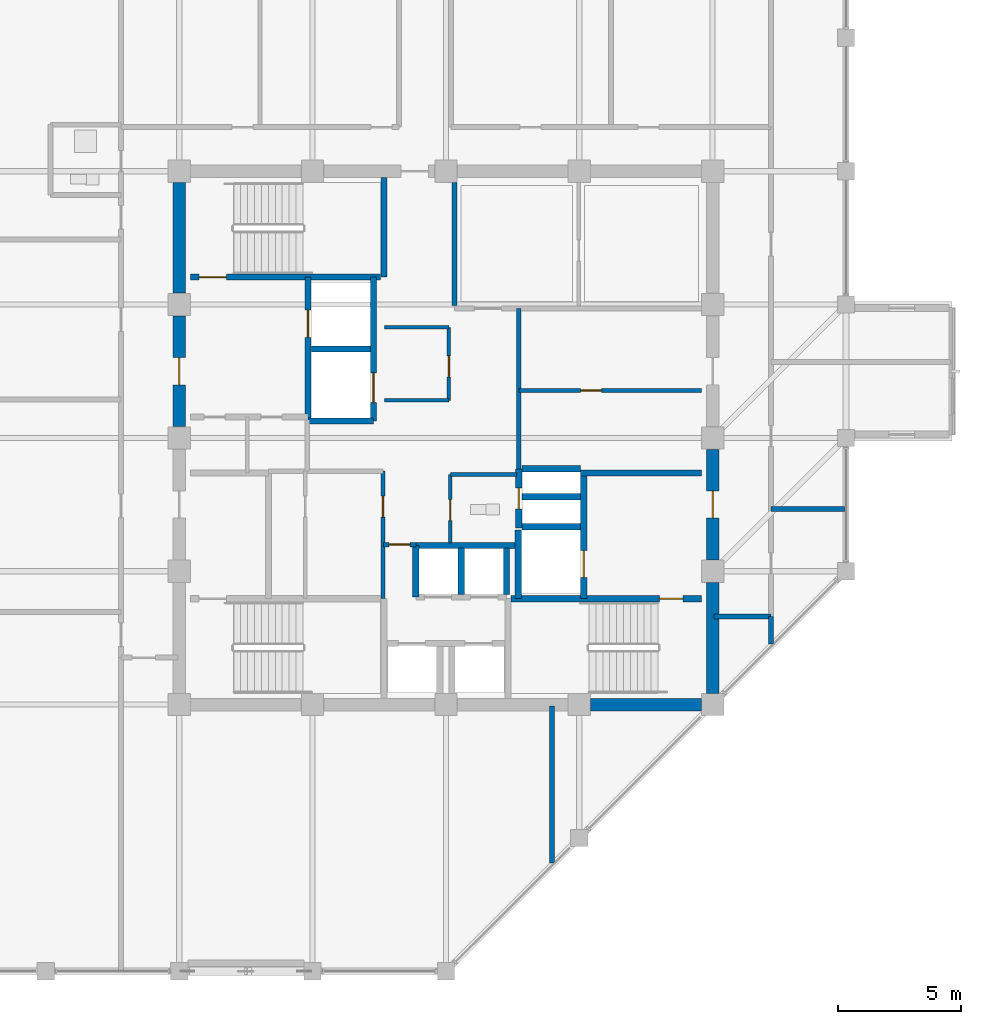
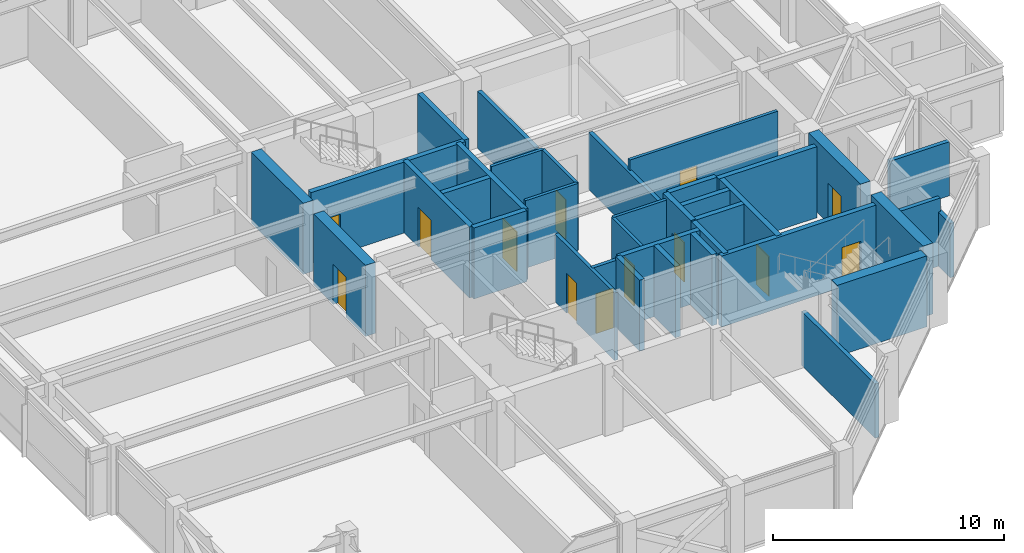
# One storey, part 27 of 32: 37 walls, 13 doors, 13 openings.
"""IFC4 building model written with IfcOpenShell, lengths in metres."""

from ifc_helpers import new_model, si_unit, direction, frame, frame_2d, origin, place, context, subcontext, project, spatial, rectangle, extrude, material, layer, layer_set, type_object, element, fill, save


model = new_model("IFC4")

# Units and contexts
model_context = context("Model", 3, precision=1e-05, world=origin(), true_north=direction((0.0, 1.0)))
body_context = subcontext(model_context, "Body", "Model", "MODEL_VIEW")
ifc_project = project(units=[si_unit("LENGTHUNIT", "METRE"), si_unit("AREAUNIT", "SQUARE_METRE"), si_unit("VOLUMEUNIT", "CUBIC_METRE"), si_unit("PLANEANGLEUNIT", "RADIAN"), si_unit("MASSUNIT", "GRAM", prefix="KILO")], contexts=[model_context])

# Site, building, storey
site_placement = place(None, origin())
site = spatial("IfcSite", under=ifc_project, at=site_placement, CompositionType="ELEMENT")
building_placement = place(site_placement, origin())
building = spatial("IfcBuilding", under=site, at=building_placement, Name="Surkhivell Harbour Commons", CompositionType="ELEMENT")
storey_placement = place(building_placement, frame((0.0, 0.0, 311.25)))
storey = spatial("IfcBuildingStorey", under=building, at=storey_placement, Name="L81", CompositionType="ELEMENT", Elevation=311.25)

# Wall
ifc_material_1 = material(Name="Concrete C50/60", Category="concrete")
ifc_layer_1 = layer(ifc_material_1, 0.5)
ifc_layer_set_1 = layer_set([ifc_layer_1], Name="Concrete C50/60")
wall_type_1 = type_object("IfcWallType", Name="WAL-CORE-500", PredefinedType="SHEAR", material=ifc_layer_set_1)
wall_1_placement = place(storey_placement, frame((10.800048828125, -10.340087890625, 0.0), z_axis=(0.0, 0.0, 1.0), x_axis=(0.0, 1.0, 0.0)))
element("IfcWall", 1, at=wall_1_placement, inside=storey, type_object=wall_type_1, Name="L81 Core Shear Wall East 1", PredefinedType="SHEAR", context=body_context, shape_type="SweptSolid", body=[
    extrude(rectangle(XDim=4.47998046875, YDim=0.5, at=frame_2d((2.239990234375, 0.0))), origin(), (0.0, 0.0, 1.0), 3.75),
])

# Wall, opening, door
wall_2_placement = place(storey_placement, frame((10.800048828125, -4.93994140625, 0.0), z_axis=(0.0, 0.0, 1.0), x_axis=(0.0, 1.0, 0.0)))
wall_2 = element("IfcWall", 2, at=wall_2_placement, inside=storey, type_object=wall_type_1, Name="L81 Core Shear Wall East 2", PredefinedType="SHEAR", context=body_context, shape_type="SweptSolid", body=[
    extrude(rectangle(XDim=4.47998046875, YDim=0.5, at=frame_2d((2.239990234375, 0.0))), origin(), (0.0, 0.0, 1.0), 3.75),
])
opening_1_placement = place(wall_2_placement, frame((1.68994140625, 0.0, 0.0)))
opening_1 = element("IfcOpeningElement", 3, at=opening_1_placement, cuts=wall_2, Name="Opening ID-1", PredefinedType="OPENING", context=body_context, shape_type="SweptSolid", body=[
    extrude(rectangle(XDim=1.10009765625, YDim=2.10009765625, at=frame_2d((0.550048828125, 1.050048828125))), frame((0.0, 0.260009765625, 0.0), z_axis=(0.0, -1.0, 0.0), x_axis=(1.0, 0.0, 0.0)), (0.0, 0.0, 1.0), 0.52001953125),
])
ifc_material_2 = material(Name="Hardwood-veneered fire-rated door leaf", Category="wood")
door_type_1 = type_object("IfcDoorType", Name="DOR-FD120-1100", OperationType="NOTDEFINED", PredefinedType="DOOR", material=ifc_material_2)
door_1_placement = place(opening_1_placement, origin())
door_1 = element("IfcDoor", 4, at=door_1_placement, inside=storey, type_object=door_type_1, Name="L81 Firefighting Lobby 2 Corridor Door", OperationType="SINGLE_SWING_RIGHT", OverallHeight=2.10009765625, OverallWidth=1.10009765625, PredefinedType="DOOR", context=body_context, shape_type="SweptSolid", body=[
    extrude(rectangle(XDim=1.10009765625, YDim=2.10009765625, at=frame_2d((0.550048828125, 1.050048828125))), frame((0.0, 0.02490234375, 0.0), z_axis=(0.0, -1.0, 0.0), x_axis=(1.0, 0.0, 0.0)), (0.0, 0.0, 1.0), 0.050048828125),
])
fill(opening_1, door_1)

wall_3_placement = place(storey_placement, frame((-10.800048828125, 0.4599609375, 0.0), z_axis=(0.0, 0.0, 1.0), x_axis=(0.0, 1.0, 0.0)))
wall_3 = element("IfcWall", 5, at=wall_3_placement, inside=storey, type_object=wall_type_1, Name="L81 Core Shear Wall West 3", PredefinedType="SHEAR", context=body_context, shape_type="SweptSolid", body=[
    extrude(rectangle(XDim=4.47998046875, YDim=0.5, at=frame_2d((2.239990234375, 0.0))), origin(), (0.0, 0.0, 1.0), 3.75),
])
opening_2_placement = place(wall_3_placement, frame((1.68994140625, 0.0, 0.0)))
opening_2 = element("IfcOpeningElement", 6, at=opening_2_placement, cuts=wall_3, Name="Opening ID-1", PredefinedType="OPENING", context=body_context, shape_type="SweptSolid", body=[
    extrude(rectangle(XDim=1.10009765625, YDim=2.10009765625, at=frame_2d((0.550048828125, 1.050048828125))), frame((0.0, 0.260009765625, 0.0), z_axis=(0.0, -1.0, 0.0), x_axis=(1.0, 0.0, 0.0)), (0.0, 0.0, 1.0), 0.52001953125),
])
door_2_placement = place(opening_2_placement, origin())
door_2 = element("IfcDoor", 7, at=door_2_placement, inside=storey, type_object=door_type_1, Name="L81 Firefighting Lobby 1 Corridor Door", OperationType="SINGLE_SWING_LEFT", OverallHeight=2.10009765625, OverallWidth=1.10009765625, PredefinedType="DOOR", context=body_context, shape_type="SweptSolid", body=[
    extrude(rectangle(XDim=1.10009765625, YDim=2.10009765625, at=frame_2d((0.550048828125, 1.050048828125))), frame((0.0, 0.02490234375, 0.0), z_axis=(0.0, -1.0, 0.0), x_axis=(1.0, 0.0, 0.0)), (0.0, 0.0, 1.0), 0.050048828125),
])
fill(opening_2, door_2)

# Walls
for number, where, z_axis, x_axis, name in (
    (8, (5.860107421875, -10.800048828125, 0.0), (0.0, 0.0, 1.0), (1.0, 0.0, 0.0), "L81 Core Shear Wall South 4"),
    (9, (-10.800048828125, 5.860107421875, 0.0), (0.0, 0.0, 1.0), (0.0, 1.0, 0.0), "L81 Core Shear Wall West 4"),
):
    element("IfcWall", number, at=place(storey_placement, frame(where, z_axis=z_axis, x_axis=x_axis)), inside=storey, type_object=wall_type_1, Name=name, PredefinedType="SHEAR", context=body_context, shape_type="SweptSolid", body=[
        extrude(rectangle(XDim=4.47998046875, YDim=0.5, at=frame_2d((2.239990234375, 0.0))), origin(), (0.0, 0.0, 1.0), 3.75),
    ])
ifc_material_3 = material(Name="Twin-stud acoustic fireboard partition", Category="other")
ifc_layer_2 = layer(ifc_material_3, 0.14990234375)
ifc_layer_set_2 = layer_set([ifc_layer_2], Name="Twin-stud acoustic fireboard partition")
wall_type_2 = type_object("IfcWallType", Name="WAL-INT-150", PredefinedType="PARTITIONING", material=ifc_layer_set_2)
wall_4_placement = place(storey_placement, frame((0.179931640625, -1.47998046875, 0.0), z_axis=(0.0, 0.0, 1.0), x_axis=(1.0, 0.0, 0.0)))
element("IfcWall", 10, at=wall_4_placement, inside=storey, type_object=wall_type_2, Name="L81 Core Accessible WC North Wall", PredefinedType="PARTITIONING", context=body_context, shape_type="SweptSolid", body=[
    extrude(rectangle(XDim=2.670166015625, YDim=0.14990234375, at=frame_2d((1.3349609375, 0.0))), origin(), (0.0, 0.0, 1.0), 3.570068359375),
])

# Wall, opening, door
wall_5_placement = place(storey_placement, frame((0.179931640625, -4.25, 0.0), z_axis=(0.0, 0.0, 1.0), x_axis=(0.0, 1.0, 0.0)))
wall_5 = element("IfcWall", 11, at=wall_5_placement, inside=storey, type_object=wall_type_2, Name="L81 Core Accessible WC West Wall", PredefinedType="PARTITIONING", context=body_context, shape_type="SweptSolid", body=[
    extrude(rectangle(XDim=2.77001953125, YDim=0.14990234375, at=frame_2d((1.385009765625, 0.0))), origin(), (0.0, 0.0, 1.0), 3.570068359375),
])
opening_3_placement = place(wall_5_placement, frame((0.89990234375, 0.0, 0.0)))
opening_3 = element("IfcOpeningElement", 12, at=opening_3_placement, cuts=wall_5, Name="Opening ID-6", PredefinedType="OPENING", context=body_context, shape_type="SweptSolid", body=[
    extrude(rectangle(XDim=0.85009765625, YDim=2.10009765625, at=frame_2d((0.425048828125, 1.050048828125))), frame((0.0, 0.0849609375, 0.0), z_axis=(0.0, -1.0, 0.0), x_axis=(1.0, 0.0, 0.0)), (0.0, 0.0, 1.0), 0.169921875),
])
door_type_2 = type_object("IfcDoorType", Name="DOR-FD30-850", OperationType="NOTDEFINED", PredefinedType="DOOR", material=ifc_material_2)
door_3_placement = place(opening_3_placement, origin())
door_3 = element("IfcDoor", 13, at=door_3_placement, inside=storey, type_object=door_type_2, Name="L81 Floor Accessible WC Door", OperationType="SINGLE_SWING_LEFT", OverallHeight=2.10009765625, OverallWidth=0.85009765625, PredefinedType="DOOR", context=body_context, shape_type="SweptSolid", body=[
    extrude(rectangle(XDim=0.85009765625, YDim=2.10009765625, at=frame_2d((0.425048828125, 1.050048828125))), frame((0.0, 0.02490234375, 0.0), z_axis=(0.0, -1.0, 0.0), x_axis=(1.0, 0.0, 0.0)), (0.0, 0.0, 1.0), 0.050048828125),
])
fill(opening_3, door_3)

wall_6_placement = place(storey_placement, frame((2.949951171875, 1.919921875, 0.0), z_axis=(0.0, 0.0, 1.0), x_axis=(1.0, 0.0, 0.0)))
wall_6 = element("IfcWall", 14, at=wall_6_placement, inside=storey, type_object=wall_type_2, Name="L81 Media Divider", PredefinedType="PARTITIONING", context=body_context, shape_type="SweptSolid", body=[
    extrude(rectangle(XDim=7.39013671875, YDim=0.14990234375, at=frame_2d((3.695068359375, 0.0))), origin(), (0.0, 0.0, 1.0), 3.570068359375),
])
opening_4_placement = place(wall_6_placement, frame((2.5, 0.0, 0.0)))
opening_4 = element("IfcOpeningElement", 15, at=opening_4_placement, cuts=wall_6, Name="Opening ID-6", PredefinedType="OPENING", context=body_context, shape_type="SweptSolid", body=[
    extrude(rectangle(XDim=0.85009765625, YDim=2.10009765625, at=frame_2d((0.425048828125, 1.050048828125))), frame((0.0, 0.0849609375, 0.0), z_axis=(0.0, -1.0, 0.0), x_axis=(1.0, 0.0, 0.0)), (0.0, 0.0, 1.0), 0.169921875),
])
door_4_placement = place(opening_4_placement, origin())
door_4 = element("IfcDoor", 16, at=door_4_placement, inside=storey, type_object=door_type_2, Name="L81 Seminar Alcove Door", OperationType="SINGLE_SWING_RIGHT", OverallHeight=2.10009765625, OverallWidth=0.85009765625, PredefinedType="DOOR", context=body_context, shape_type="SweptSolid", body=[
    extrude(rectangle(XDim=0.85009765625, YDim=2.10009765625, at=frame_2d((0.425048828125, 1.050048828125))), frame((0.0, 0.02490234375, 0.0), z_axis=(0.0, -1.0, 0.0), x_axis=(1.0, 0.0, 0.0)), (0.0, 0.0, 1.0), 0.050048828125),
])
fill(opening_4, door_4)

wall_7_placement = place(storey_placement, frame((0.1201171875, 1.52001953125, 0.0), z_axis=(0.0, 0.0, 1.0), x_axis=(0.0, 1.0, 0.0)))
wall_7 = element("IfcWall", 17, at=wall_7_placement, inside=storey, type_object=wall_type_2, Name="L81 Central Reading East Wall", PredefinedType="PARTITIONING", context=body_context, shape_type="SweptSolid", body=[
    extrude(rectangle(XDim=2.9599609375, YDim=0.14990234375, at=frame_2d((1.47998046875, 0.0))), origin(), (0.0, 0.0, 1.0), 3.570068359375),
])
opening_5_placement = place(wall_7_placement, frame((0.949951171875, 0.0, 0.0)))
opening_5 = element("IfcOpeningElement", 18, at=opening_5_placement, cuts=wall_7, Name="Opening ID-6", PredefinedType="OPENING", context=body_context, shape_type="SweptSolid", body=[
    extrude(rectangle(XDim=0.85009765625, YDim=2.10009765625, at=frame_2d((0.425048828125, 1.050048828125))), frame((0.0, 0.0849609375, 0.0), z_axis=(0.0, -1.0, 0.0), x_axis=(1.0, 0.0, 0.0)), (0.0, 0.0, 1.0), 0.169921875),
])
door_5_placement = place(opening_5_placement, origin())
door_5 = element("IfcDoor", 19, at=door_5_placement, inside=storey, type_object=door_type_2, Name="L81 Central Core Reading Door", OperationType="SINGLE_SWING_RIGHT", OverallHeight=2.10009765625, OverallWidth=0.85009765625, PredefinedType="DOOR", context=body_context, shape_type="SweptSolid", body=[
    extrude(rectangle(XDim=0.85009765625, YDim=2.10009765625, at=frame_2d((0.425048828125, 1.050048828125))), frame((0.0, 0.02490234375, 0.0), z_axis=(0.0, -1.0, 0.0), x_axis=(1.0, 0.0, 0.0)), (0.0, 0.0, 1.0), 0.050048828125),
])
fill(opening_5, door_5)

# Walls
for number, where, z_axis, x_axis, name in (
    (20, (-2.47998046875, 4.47998046875, 0.0), (0.0, 0.0, 1.0), (1.0, 0.0, 0.0), "L81 Central Reading North Wall"),
    (21, (-2.47998046875, 1.52001953125, 0.0), (0.0, 0.0, 1.0), (1.0, 0.0, 0.0), "L81 Central Reading South Wall"),
):
    element("IfcWall", number, at=place(storey_placement, frame(where, z_axis=z_axis, x_axis=x_axis)), inside=storey, type_object=wall_type_2, Name=name, PredefinedType="PARTITIONING", context=body_context, shape_type="SweptSolid", body=[
        extrude(rectangle(XDim=2.60009765625, YDim=0.14990234375, at=frame_2d((1.300048828125, 0.0))), origin(), (0.0, 0.0, 1.0), 3.570068359375),
    ])

# Wall, opening, door
ifc_material_4 = material(Name="High-density acoustic blockwork fire partition", Category="masonry")
ifc_layer_3 = layer(ifc_material_4, 0.175048828125)
ifc_layer_set_3 = layer_set([ifc_layer_3], Name="High-density acoustic blockwork fire partition")
wall_type_3 = type_object("IfcWallType", Name="WAL-INT-175", PredefinedType="PARTITIONING", material=ifc_layer_set_3)
wall_8_placement = place(storey_placement, frame((-2.550048828125, -6.510009765625, 0.0), z_axis=(0.0, 0.0, 1.0), x_axis=(0.0, 1.0, 0.0)))
wall_8 = element("IfcWall", 22, at=wall_8_placement, inside=storey, type_object=wall_type_3, Name="L81 Core Service Bay East Wall", PredefinedType="PARTITIONING", context=body_context, shape_type="SweptSolid", body=[
    extrude(rectangle(XDim=5.159912109375, YDim=0.175048828125, at=frame_2d((2.580078125, 0.0))), origin(), (0.0, 0.0, 1.0), 3.570068359375),
])
opening_6_placement = place(wall_8_placement, frame((3.300048828125, 0.0, 0.0)))
opening_6 = element("IfcOpeningElement", 23, at=opening_6_placement, cuts=wall_8, Name="Opening ID-6", PredefinedType="OPENING", context=body_context, shape_type="SweptSolid", body=[
    extrude(rectangle(XDim=0.85009765625, YDim=2.10009765625, at=frame_2d((0.425048828125, 1.050048828125))), frame((0.0, 0.097412109375, 0.0), z_axis=(0.0, -1.0, 0.0), x_axis=(1.0, 0.0, 0.0)), (0.0, 0.0, 1.0), 0.195068359375),
])
door_6_placement = place(opening_6_placement, origin())
door_6 = element("IfcDoor", 24, at=door_6_placement, inside=storey, type_object=door_type_2, Name="L81 Core Music Door", OperationType="SINGLE_SWING_LEFT", OverallHeight=2.10009765625, OverallWidth=0.85009765625, PredefinedType="DOOR", context=body_context, shape_type="SweptSolid", body=[
    extrude(rectangle(XDim=0.85009765625, YDim=2.10009765625, at=frame_2d((0.425048828125, 1.050048828125))), frame((0.0, 0.02490234375, 0.0), z_axis=(0.0, -1.0, 0.0), x_axis=(1.0, 0.0, 0.0)), (0.0, 0.0, 1.0), 0.050048828125),
])
fill(opening_6, door_6)

wall_9_placement = place(storey_placement, frame((-2.52001953125, -4.320068359375, 0.0), z_axis=(0.0, 0.0, 1.0), x_axis=(1.0, 0.0, 0.0)))
wall_9 = element("IfcWall", 25, at=wall_9_placement, inside=storey, type_object=wall_type_3, Name="L81 High-Rise Lobby North Portal Wall", PredefinedType="PARTITIONING", context=body_context, shape_type="SweptSolid", body=[
    extrude(rectangle(XDim=1.300048828125, YDim=0.175048828125, at=frame_2d((0.64990234375, 0.0))), origin(), (0.0, 0.0, 1.0), 3.570068359375),
])
opening_7_placement = place(wall_9_placement, frame((0.219970703125, 0.0, 0.0)))
opening_7 = element("IfcOpeningElement", 26, at=opening_7_placement, cuts=wall_9, Name="Opening ID-6", PredefinedType="OPENING", context=body_context, shape_type="SweptSolid", body=[
    extrude(rectangle(XDim=0.85009765625, YDim=2.10009765625, at=frame_2d((0.425048828125, 1.050048828125))), frame((0.0, 0.097412109375, 0.0), z_axis=(0.0, -1.0, 0.0), x_axis=(1.0, 0.0, 0.0)), (0.0, 0.0, 1.0), 0.195068359375),
])
door_7_placement = place(opening_7_placement, origin())
door_7 = element("IfcDoor", 27, at=door_7_placement, inside=storey, type_object=door_type_2, Name="L81 High-Rise Lift Lobby North Door", OperationType="SINGLE_SWING_LEFT", OverallHeight=2.10009765625, OverallWidth=0.85009765625, PredefinedType="DOOR", context=body_context, shape_type="SweptSolid", body=[
    extrude(rectangle(XDim=0.85009765625, YDim=2.10009765625, at=frame_2d((0.425048828125, 1.050048828125))), frame((0.0, 0.02490234375, 0.0), z_axis=(0.0, -1.0, 0.0), x_axis=(1.0, 0.0, 0.0)), (0.0, 0.0, 1.0), 0.050048828125),
])
fill(opening_7, door_7)

# Walls
ifc_material_5 = material(Name="Autoclaved aerated concrete blockwork and fire plaster", Category="masonry")
ifc_layer_4 = layer(ifc_material_5, 0.199951171875)
ifc_layer_set_4 = layer_set([ifc_layer_4], Name="Autoclaved aerated concrete blockwork and fire plaster")
wall_type_4 = type_object("IfcWallType", Name="WAL-INT-200", PredefinedType="PARTITIONING", material=ifc_layer_set_4)
wall_10_placement = place(storey_placement, frame((0.35009765625, 5.360107421875, 0.0), z_axis=(0.0, 0.0, 1.0), x_axis=(0.0, 1.0, 0.0)))
element("IfcWall", 28, at=wall_10_placement, inside=storey, type_object=wall_type_4, Name="L81 Reclaimed Core North Bay West Wall", PredefinedType="PARTITIONING", context=body_context, shape_type="SweptSolid", body=[
    extrude(rectangle(XDim=4.97998046875, YDim=0.199951171875, at=frame_2d((2.489990234375, 0.0))), origin(), (0.0, 0.0, 1.0), 3.012939453125),
])
wall_11_placement = place(storey_placement, frame((13.159912109375, -8.355224609375, 0.0), z_axis=(0.0, 0.0, 1.0), x_axis=(0.0, 1.0, 0.0)))
element("IfcWall", 29, at=wall_11_placement, inside=storey, type_object=wall_type_4, Name="L81 East Wing South Closure Wall", PredefinedType="PARTITIONING", context=body_context, shape_type="SweptSolid", body=[
    extrude(rectangle(XDim=1.115234375, YDim=0.199951171875, at=frame_2d((0.5576171875, 0.0))), origin(), (0.0, 0.0, 1.0), 2.85693359375),
])
wall_12_placement = place(storey_placement, frame((10.85009765625, -7.239990234375, 0.0), z_axis=(0.0, 0.0, 1.0), x_axis=(1.0, 0.0, 0.0)))
element("IfcWall", 30, at=wall_12_placement, inside=storey, type_object=wall_type_4, Name="L81 East Corridor South Closure Wall", PredefinedType="PARTITIONING", context=body_context, shape_type="SweptSolid", body=[
    extrude(rectangle(XDim=2.309814453125, YDim=0.199951171875, at=frame_2d((1.15478515625, 0.0))), origin(), (0.0, 0.0, 1.0), 3.570068359375),
])
wall_13_placement = place(storey_placement, frame((4.300048828125, -17.215087890625, 0.0), z_axis=(0.0, 0.0, 1.0), x_axis=(0.0, 1.0, 0.0)))
element("IfcWall", 31, at=wall_13_placement, inside=storey, type_object=wall_type_4, Name="L81 South Hall East Wall", PredefinedType="PARTITIONING", context=body_context, shape_type="SweptSolid", body=[
    extrude(rectangle(XDim=6.364990234375, YDim=0.199951171875, at=frame_2d((3.1826171875, 0.0))), origin(), (0.0, 0.0, 1.0), 2.85693359375),
])
wall_14_placement = place(storey_placement, frame((2.949951171875, -1.25, 0.0), z_axis=(0.0, 0.0, 1.0), x_axis=(0.0, 1.0, 0.0)))
element("IfcWall", 32, at=wall_14_placement, inside=storey, type_object=wall_type_4, Name="L81 Reclaimed East Core West Wall", PredefinedType="PARTITIONING", context=body_context, shape_type="SweptSolid", body=[
    extrude(rectangle(XDim=6.489990234375, YDim=0.199951171875, at=frame_2d((3.2451171875, 0.0))), origin(), (0.0, 0.0, 1.0), 3.012939453125),
])
wall_15_placement = place(storey_placement, frame((13.159912109375, -2.8798828125, 0.0), z_axis=(0.0, 0.0, 1.0), x_axis=(1.0, 0.0, 0.0)))
element("IfcWall", 33, at=wall_15_placement, inside=storey, type_object=wall_type_4, Name="L81 East Partition P1", PredefinedType="PARTITIONING", context=body_context, shape_type="SweptSolid", body=[
    extrude(rectangle(XDim=2.97998046875, YDim=0.199951171875, at=frame_2d((1.489990234375, 0.0))), origin(), (0.0, 0.0, 1.0), 2.85693359375),
])

# Wall, opening, door
ifc_layer_5 = layer(ifc_material_1, 0.25)
ifc_layer_set_5 = layer_set([ifc_layer_5], Name="Concrete C50/60")
wall_type_5 = type_object("IfcWallType", Name="WAL-SHAFT-250", PredefinedType="SHEAR", material=ifc_layer_set_5)
wall_16_placement = place(storey_placement, frame((-5.580078125, 0.719970703125, 0.0), z_axis=(0.0, 0.0, 1.0), x_axis=(0.0, 1.0, 0.0)))
wall_16 = element("IfcWall", 34, at=wall_16_placement, inside=storey, type_object=wall_type_5, Name="L81 Firefighting Lobby 1 East Shaft Wall", PredefinedType="SHEAR", context=body_context, shape_type="SweptSolid", body=[
    extrude(rectangle(XDim=5.7900390625, YDim=0.25, at=frame_2d((2.89501953125, 0.0))), origin(), (0.0, 0.0, 1.0), 3.75),
])
opening_8_placement = place(wall_16_placement, frame((3.35009765625, 0.0, 0.0)))
opening_8 = element("IfcOpeningElement", 35, at=opening_8_placement, cuts=wall_16, Name="Opening LD-1", PredefinedType="OPENING", context=body_context, shape_type="SweptSolid", body=[
    extrude(rectangle(XDim=1.10009765625, YDim=2.10009765625, at=frame_2d((0.550048828125, 1.050048828125))), frame((0.0, 0.135009765625, 0.0), z_axis=(0.0, -1.0, 0.0), x_axis=(1.0, 0.0, 0.0)), (0.0, 0.0, 1.0), 0.27001953125),
])
ifc_material_6 = material(Name="Brushed stainless steel S355", Category="steel")
door_type_3 = type_object("IfcDoorType", Name="DOR-LD-1100", OperationType="SLIDING_TO_LEFT", PredefinedType="DOOR", material=ifc_material_6)
door_8_placement = place(opening_8_placement, origin())
door_8 = element("IfcDoor", 36, at=door_8_placement, inside=storey, type_object=door_type_3, Name="L81 Lift Landing Door LD-FFL1", OperationType="SLIDING_TO_LEFT", OverallHeight=2.10009765625, OverallWidth=1.10009765625, PredefinedType="DOOR", context=body_context, shape_type="SweptSolid", body=[
    extrude(rectangle(XDim=1.10009765625, YDim=2.10009765625, at=frame_2d((0.550048828125, 1.050048828125))), frame((0.0, 0.02490234375, 0.0), z_axis=(0.0, -1.0, 0.0), x_axis=(1.0, 0.0, 0.0)), (0.0, 0.0, 1.0), 0.050048828125),
])
fill(opening_8, door_8)

# Walls
wall_17_placement = place(storey_placement, frame((2.929931640625, -6.510009765625, 0.0), z_axis=(0.0, 0.0, 1.0), x_axis=(0.0, 1.0, 0.0)))
element("IfcWall", 37, at=wall_17_placement, inside=storey, type_object=wall_type_5, Name="L81 FFL2 West Shaft Wall", PredefinedType="SHEAR", context=body_context, shape_type="SweptSolid", body=[
    extrude(rectangle(XDim=2.7900390625, YDim=0.25, at=frame_2d((1.39501953125, 0.0))), origin(), (0.0, 0.0, 1.0), 3.75),
])
wall_18_placement = place(storey_placement, frame((5.43994140625, -1.419921875, 0.0), z_axis=(0.0, 0.0, 1.0), x_axis=(1.0, 0.0, 0.0)))
element("IfcWall", 38, at=wall_18_placement, inside=storey, type_object=wall_type_5, Name="L81 Firefighting Lobby 2 North Wall", PredefinedType="SHEAR", context=body_context, shape_type="SweptSolid", body=[
    extrude(rectangle(XDim=4.900146484375, YDim=0.25, at=frame_2d((2.4501953125, 0.0))), origin(), (0.0, 0.0, 1.0), 3.75),
])
wall_19_placement = place(storey_placement, frame((3.080078125, -3.60009765625, 0.0), z_axis=(0.0, 0.0, 1.0), x_axis=(1.0, 0.0, 0.0)))
element("IfcWall", 39, at=wall_19_placement, inside=storey, type_object=wall_type_5, Name="L81 FFL2 North Shaft Wall", PredefinedType="SHEAR", context=body_context, shape_type="SweptSolid", body=[
    extrude(rectangle(XDim=2.369873046875, YDim=0.25, at=frame_2d((1.18505859375, 0.0))), origin(), (0.0, 0.0, 1.0), 3.75),
])

# Wall, opening, door
wall_20_placement = place(storey_placement, frame((5.580078125, -6.510009765625, 0.0), z_axis=(0.0, 0.0, 1.0), x_axis=(0.0, 1.0, 0.0)))
wall_20 = element("IfcWall", 40, at=wall_20_placement, inside=storey, type_object=wall_type_5, Name="L81 Firefighting Lobby 2 West Shaft Wall", PredefinedType="SHEAR", context=body_context, shape_type="SweptSolid", body=[
    extrude(rectangle(XDim=5.090087890625, YDim=0.25, at=frame_2d((2.544921875, 0.0))), origin(), (0.0, 0.0, 1.0), 3.75),
])
opening_9_placement = place(wall_20_placement, frame((0.85009765625, 0.0, 0.0)))
opening_9 = element("IfcOpeningElement", 41, at=opening_9_placement, cuts=wall_20, Name="Opening LD-1", PredefinedType="OPENING", context=body_context, shape_type="SweptSolid", body=[
    extrude(rectangle(XDim=1.10009765625, YDim=2.10009765625, at=frame_2d((0.550048828125, 1.050048828125))), frame((0.0, 0.135009765625, 0.0), z_axis=(0.0, -1.0, 0.0), x_axis=(1.0, 0.0, 0.0)), (0.0, 0.0, 1.0), 0.27001953125),
])
door_9_placement = place(opening_9_placement, origin())
door_9 = element("IfcDoor", 42, at=door_9_placement, inside=storey, type_object=door_type_3, Name="L81 Lift Landing Door LD-FFL2", OperationType="SLIDING_TO_RIGHT", OverallHeight=2.10009765625, OverallWidth=1.10009765625, PredefinedType="DOOR", context=body_context, shape_type="SweptSolid", body=[
    extrude(rectangle(XDim=1.10009765625, YDim=2.10009765625, at=frame_2d((0.550048828125, 1.050048828125))), frame((0.0, 0.02490234375, 0.0), z_axis=(0.0, -1.0, 0.0), x_axis=(1.0, 0.0, 0.0)), (0.0, 0.0, 1.0), 0.050048828125),
])
fill(opening_9, door_9)

# Walls
for number, where, z_axis, x_axis, name in (
    (43, (0.6201171875, -6.340087890625, 0.0), (0.0, 0.0, 1.0), (0.0, 1.0, 0.0), "L81 High-Rise Side Wall N"),
    (44, (2.449951171875, -6.340087890625, 0.0), (0.0, 0.0, 1.0), (0.0, 1.0, 0.0), "L81 High-Rise Side Wall N"),
):
    element("IfcWall", number, at=place(storey_placement, frame(where, z_axis=z_axis, x_axis=x_axis)), inside=storey, type_object=wall_type_5, Name=name, PredefinedType="SHEAR", context=body_context, shape_type="SweptSolid", body=[
        extrude(rectangle(XDim=1.880126953125, YDim=0.25, at=frame_2d((0.93994140625, 0.0))), origin(), (0.0, 0.0, 1.0), 3.75),
    ])
wall_21_placement = place(storey_placement, frame((-1.219970703125, -6.43994140625, 0.0), z_axis=(0.0, 0.0, 1.0), x_axis=(0.0, 1.0, 0.0)))
element("IfcWall", 45, at=wall_21_placement, inside=storey, type_object=wall_type_5, Name="L81 High-Rise Passage East Shaft Wall", PredefinedType="SHEAR", context=body_context, shape_type="SweptSolid", body=[
    extrude(rectangle(XDim=2.079833984375, YDim=0.25, at=frame_2d((1.0400390625, 0.0))), origin(), (0.0, 0.0, 1.0), 3.75),
])
wall_22_placement = place(storey_placement, frame((-1.219970703125, -4.360107421875, 0.0), z_axis=(0.0, 0.0, 1.0), x_axis=(1.0, 0.0, 0.0)))
element("IfcWall", 46, at=wall_22_placement, inside=storey, type_object=wall_type_5, Name="L81 High-Rise North Back Shaft Wall", PredefinedType="SHEAR", context=body_context, shape_type="SweptSolid", body=[
    extrude(rectangle(XDim=4.030029296875, YDim=0.25, at=frame_2d((2.01513671875, 0.0))), origin(), (0.0, 0.0, 1.0), 3.75),
])
for number, where, z_axis, x_axis, name in (
    (47, (3.080078125, -2.3798828125, 0.0), (0.0, 0.0, 1.0), (1.0, 0.0, 0.0), "L81 Riser Divider Wall"),
    (48, (3.080078125, -1.25, 0.0), (0.0, 0.0, 1.0), (1.0, 0.0, 0.0), "L81 Riser North Wall"),
):
    element("IfcWall", number, at=place(storey_placement, frame(where, z_axis=z_axis, x_axis=x_axis)), inside=storey, type_object=wall_type_5, Name=name, PredefinedType="SHEAR", context=body_context, shape_type="SweptSolid", body=[
        extrude(rectangle(XDim=2.369873046875, YDim=0.25, at=frame_2d((1.18505859375, 0.0))), origin(), (0.0, 0.0, 1.0), 3.75),
    ])

# Wall, opening, door
wall_23_placement = place(storey_placement, frame((2.949951171875, -3.64990234375, 0.0), z_axis=(0.0, 0.0, 1.0), x_axis=(0.0, 1.0, 0.0)))
wall_23 = element("IfcWall", 49, at=wall_23_placement, inside=storey, type_object=wall_type_5, Name="L81 Riser Shaft West Wall", PredefinedType="SHEAR", context=body_context, shape_type="SweptSolid", body=[
    extrude(rectangle(XDim=2.39990234375, YDim=0.25, at=frame_2d((1.199951171875, 0.0))), origin(), (0.0, 0.0, 1.0), 3.75),
])
opening_10_placement = place(wall_23_placement, frame((0.77490234375, 0.0, 0.0)))
opening_10 = element("IfcOpeningElement", 50, at=opening_10_placement, cuts=wall_23, Name="Opening ID-6", PredefinedType="OPENING", context=body_context, shape_type="SweptSolid", body=[
    extrude(rectangle(XDim=0.85009765625, YDim=2.10009765625, at=frame_2d((0.425048828125, 1.050048828125))), frame((0.0, 0.135009765625, 0.0), z_axis=(0.0, -1.0, 0.0), x_axis=(1.0, 0.0, 0.0)), (0.0, 0.0, 1.0), 0.27001953125),
])
door_10_placement = place(opening_10_placement, origin())
door_10 = element("IfcDoor", 51, at=door_10_placement, inside=storey, type_object=door_type_2, Name="L81 Electrical Riser Access Door", OperationType="SINGLE_SWING_LEFT", OverallHeight=2.10009765625, OverallWidth=0.85009765625, PredefinedType="DOOR", context=body_context, shape_type="SweptSolid", body=[
    extrude(rectangle(XDim=0.85009765625, YDim=2.10009765625, at=frame_2d((0.425048828125, 1.050048828125))), frame((0.0, 0.02490234375, 0.0), z_axis=(0.0, -1.0, 0.0), x_axis=(1.0, 0.0, 0.0)), (0.0, 0.0, 1.0), 0.050048828125),
])
fill(opening_10, door_10)

# Wall
wall_24_placement = place(storey_placement, frame((-2.510009765625, 6.510009765625, 0.0), z_axis=(0.0, 0.0, 1.0), x_axis=(0.0, 1.0, 0.0)))
element("IfcWall", 52, at=wall_24_placement, inside=storey, type_object=wall_type_5, Name="L81 Stair ST1 East Shear Wall", PredefinedType="SHEAR", context=body_context, shape_type="SweptSolid", body=[
    extrude(rectangle(XDim=4.0400390625, YDim=0.25, at=frame_2d((2.02001953125, 0.0))), origin(), (0.0, 0.0, 1.0), 3.75),
])

# Wall, opening, door
wall_25_placement = place(storey_placement, frame((-10.340087890625, 6.510009765625, 0.0), z_axis=(0.0, 0.0, 1.0), x_axis=(1.0, 0.0, 0.0)))
wall_25 = element("IfcWall", 53, at=wall_25_placement, inside=storey, type_object=wall_type_5, Name="L81 Stair ST1 South Shear Wall", PredefinedType="SHEAR", context=body_context, shape_type="SweptSolid", body=[
    extrude(rectangle(XDim=7.7001953125, YDim=0.25, at=frame_2d((3.85009765625, 0.0))), origin(), (0.0, 0.0, 1.0), 3.75),
])
opening_11_placement = place(wall_25_placement, frame((0.35009765625, 0.0, 0.0)))
opening_11 = element("IfcOpeningElement", 54, at=opening_11_placement, cuts=wall_25, Name="Opening ID-2", PredefinedType="OPENING", context=body_context, shape_type="SweptSolid", body=[
    extrude(rectangle(XDim=1.10009765625, YDim=2.10009765625, at=frame_2d((0.550048828125, 1.050048828125))), frame((0.0, 0.135009765625, 0.0), z_axis=(0.0, -1.0, 0.0), x_axis=(1.0, 0.0, 0.0)), (0.0, 0.0, 1.0), 0.27001953125),
])
door_type_4 = type_object("IfcDoorType", Name="DOR-FD60-1100", OperationType="NOTDEFINED", PredefinedType="DOOR", material=ifc_material_2)
door_11_placement = place(opening_11_placement, origin())
door_11 = element("IfcDoor", 55, at=door_11_placement, inside=storey, type_object=door_type_4, Name="L81 Stair ST1 Exit Door", OperationType="SINGLE_SWING_LEFT", OverallHeight=2.10009765625, OverallWidth=1.10009765625, PredefinedType="DOOR", context=body_context, shape_type="SweptSolid", body=[
    extrude(rectangle(XDim=1.10009765625, YDim=2.10009765625, at=frame_2d((0.550048828125, 1.050048828125))), frame((0.0, 0.02490234375, 0.0), z_axis=(0.0, -1.0, 0.0), x_axis=(1.0, 0.0, 0.0)), (0.0, 0.0, 1.0), 0.050048828125),
])
fill(opening_11, door_11)

wall_26_placement = place(storey_placement, frame((2.639892578125, -6.510009765625, 0.0), z_axis=(0.0, 0.0, 1.0), x_axis=(1.0, 0.0, 0.0)))
wall_26 = element("IfcWall", 56, at=wall_26_placement, inside=storey, type_object=wall_type_5, Name="L81 Stair ST2 North Shear Wall", PredefinedType="SHEAR", context=body_context, shape_type="SweptSolid", body=[
    extrude(rectangle(XDim=7.7001953125, YDim=0.25, at=frame_2d((3.85009765625, 0.0))), origin(), (0.0, 0.0, 1.0), 3.75),
])
opening_12_placement = place(wall_26_placement, frame((6.0, 0.0, 0.0)))
opening_12 = element("IfcOpeningElement", 57, at=opening_12_placement, cuts=wall_26, Name="Opening ID-4", PredefinedType="OPENING", context=body_context, shape_type="SweptSolid", body=[
    extrude(rectangle(XDim=0.949951171875, YDim=2.10009765625, at=frame_2d((0.47509765625, 1.050048828125))), frame((0.0, 0.135009765625, 0.0), z_axis=(0.0, -1.0, 0.0), x_axis=(1.0, 0.0, 0.0)), (0.0, 0.0, 1.0), 0.27001953125),
])
door_type_5 = type_object("IfcDoorType", Name="DOR-FD60-950", OperationType="NOTDEFINED", PredefinedType="DOOR", material=ifc_material_2)
door_12_placement = place(opening_12_placement, origin())
door_12 = element("IfcDoor", 58, at=door_12_placement, inside=storey, type_object=door_type_5, Name="L81 Stair ST2 Exit Door", OperationType="SINGLE_SWING_RIGHT", OverallHeight=2.10009765625, OverallWidth=0.949951171875, PredefinedType="DOOR", context=body_context, shape_type="SweptSolid", body=[
    extrude(rectangle(XDim=0.949951171875, YDim=2.10009765625, at=frame_2d((0.47509765625, 1.050048828125))), frame((0.0, 0.02490234375, 0.0), z_axis=(0.0, -1.0, 0.0), x_axis=(1.0, 0.0, 0.0)), (0.0, 0.0, 1.0), 0.050048828125),
])
fill(opening_12, door_12)

wall_27_placement = place(storey_placement, frame((-2.929931640625, 0.679931640625, 0.0), z_axis=(0.0, 0.0, 1.0), x_axis=(0.0, 1.0, 0.0)))
wall_27 = element("IfcWall", 59, at=wall_27_placement, inside=storey, type_object=wall_type_5, Name="L81 Service and Fire Lift East Shaft Wall", PredefinedType="SHEAR", context=body_context, shape_type="SweptSolid", body=[
    extrude(rectangle(XDim=5.830078125, YDim=0.25, at=frame_2d((2.9150390625, 0.0))), origin(), (0.0, 0.0, 1.0), 3.75),
])
opening_13_placement = place(wall_27_placement, frame((0.75, 0.0, 0.0)))
opening_13 = element("IfcOpeningElement", 60, at=opening_13_placement, cuts=wall_27, Name="Opening LD-2", PredefinedType="OPENING", context=body_context, shape_type="SweptSolid", body=[
    extrude(rectangle(XDim=1.199951171875, YDim=2.10009765625, at=frame_2d((0.60009765625, 1.050048828125))), frame((0.0, 0.135009765625, 0.0), z_axis=(0.0, -1.0, 0.0), x_axis=(1.0, 0.0, 0.0)), (0.0, 0.0, 1.0), 0.27001953125),
])
door_type_6 = type_object("IfcDoorType", Name="DOR-LD-1200", OperationType="SLIDING_TO_LEFT", PredefinedType="DOOR", material=ifc_material_6)
door_13_placement = place(opening_13_placement, origin())
door_13 = element("IfcDoor", 61, at=door_13_placement, inside=storey, type_object=door_type_6, Name="L81 Lift Landing Door LD-SVL1", OperationType="SLIDING_TO_LEFT", OverallHeight=2.10009765625, OverallWidth=1.199951171875, PredefinedType="DOOR", context=body_context, shape_type="SweptSolid", body=[
    extrude(rectangle(XDim=1.199951171875, YDim=2.10009765625, at=frame_2d((0.60009765625, 1.050048828125))), frame((0.0, 0.02490234375, 0.0), z_axis=(0.0, -1.0, 0.0), x_axis=(1.0, 0.0, 0.0)), (0.0, 0.0, 1.0), 0.050048828125),
])
fill(opening_13, door_13)

# Walls
wall_28_placement = place(storey_placement, frame((-5.449951171875, 3.60009765625, 0.0), z_axis=(0.0, 0.0, 1.0), x_axis=(1.0, 0.0, 0.0)))
element("IfcWall", 62, at=wall_28_placement, inside=storey, type_object=wall_type_5, Name="L81 FFL1/SVL1 Shaft Divider", PredefinedType="SHEAR", context=body_context, shape_type="SweptSolid", body=[
    extrude(rectangle(XDim=2.389892578125, YDim=0.25, at=frame_2d((1.19482421875, 0.0))), origin(), (0.0, 0.0, 1.0), 3.75),
])
wall_29_placement = place(storey_placement, frame((-5.580078125, 0.679931640625, 0.0), z_axis=(0.0, 0.0, 1.0), x_axis=(1.0, 0.0, 0.0)))
element("IfcWall", 63, at=wall_29_placement, inside=storey, type_object=wall_type_5, Name="L81 SVL1 South Shaft Wall", PredefinedType="SHEAR", context=body_context, shape_type="SweptSolid", body=[
    extrude(rectangle(XDim=2.650146484375, YDim=0.25, at=frame_2d((1.3251953125, 0.0))), origin(), (0.0, 0.0, 1.0), 3.75),
])

save(model, "model.ifc")
